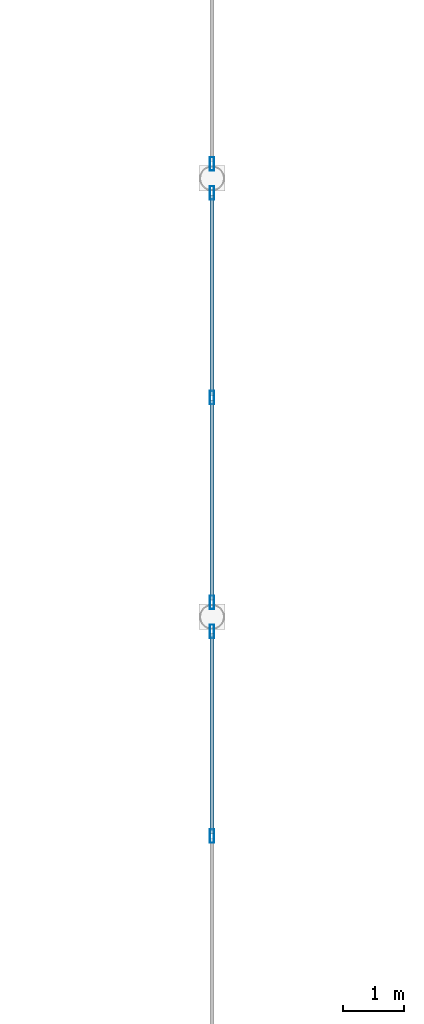
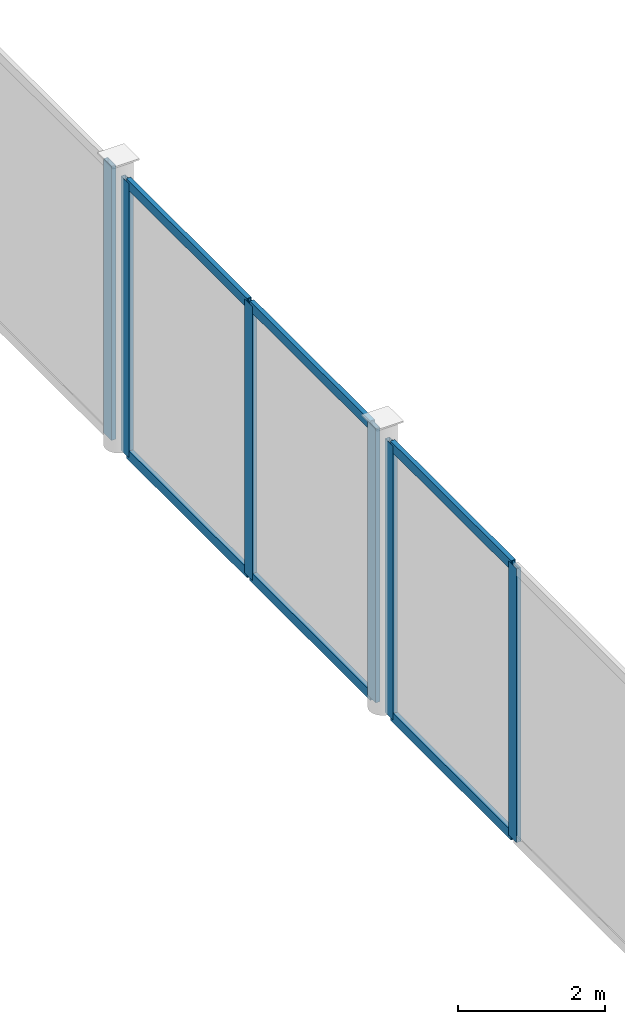
# One storey, part 79 of 120: 12 members, 3 elements without a shape of their own.
"""IFC4 building model written with IfcOpenShell, lengths in metres."""

from ifc_helpers import new_model, si_unit, direction, frame, origin, origin_2d, place, context, subcontext, project, spatial, hollow_rectangle, extrude, material, material_profile, profile_set, type_object, element, aggregate, save


model = new_model("IFC4")

# Units and contexts
model_context = context("Model", 3, precision=1e-05, world=origin(), true_north=direction((0.0, 1.0)))
body_context = subcontext(model_context, "Body", "Model", "MODEL_VIEW")
ifc_project = project(units=[si_unit("LENGTHUNIT", "METRE"), si_unit("AREAUNIT", "SQUARE_METRE"), si_unit("VOLUMEUNIT", "CUBIC_METRE"), si_unit("PLANEANGLEUNIT", "RADIAN"), si_unit("MASSUNIT", "GRAM", prefix="KILO")], contexts=[model_context])

# Site, building, storey
site_placement = place(None, origin())
site = spatial("IfcSite", under=ifc_project, at=site_placement, CompositionType="ELEMENT")
building_placement = place(site_placement, origin())
building = spatial("IfcBuilding", under=site, at=building_placement, Name="Vesperath Aquatics Centre", CompositionType="ELEMENT")
storey_placement = place(building_placement, frame((0.0, 0.0, 10.199951171875)))
storey = spatial("IfcBuildingStorey", under=building, at=storey_placement, Name="L02", CompositionType="ELEMENT", Elevation=10.199951171875)

# Curtain wall, members
ifc_material_1 = material(Name="Thermally broken anodised bronze aluminium curtain wall", Category="aluminium")
curtain_wall_type = type_object("IfcCurtainWallType", Name="CW-06", PredefinedType="NOTDEFINED", material=ifc_material_1)
curtain_wall_1_placement = place(storey_placement, origin())
curtain_wall_1 = element("IfcCurtainWall", 1, at=curtain_wall_1_placement, inside=storey, type_object=curtain_wall_type, Name="Facade Curtain Wall CW06 L02_E_20_13", PredefinedType="NOTDEFINED")
ifc_material_2 = material(Name="Thermally broken anodised aluminium", Category="aluminium")
ifc_material_profile_1 = material_profile(ifc_material_2, hollow_rectangle(XDim=0.070068359375, YDim=0.219970703125, WallThickness=0.0048828125, at=origin_2d()), Name="CWM 70x220x5")
ifc_profile_set_1 = profile_set([ifc_material_profile_1], Name="Thermally broken anodised aluminium")
member_type_1 = type_object("IfcMemberType", Name="MB-CWM2", PredefinedType="MULLION", material=ifc_profile_set_1)
member_1_placement = place(storey_placement, frame((144.0, 97.199951171875, 0.0), z_axis=(0.0, 0.0, 1.0), x_axis=(-1.0, 0.0, 0.0)))
member_1 = element("IfcMember", 2, at=member_1_placement, type_object=member_type_1, Name="CW06 mullion 2", PredefinedType="MULLION", context=body_context, shape_type="SweptSolid", body=[
    extrude(hollow_rectangle(XDim=0.070068359375, YDim=0.219970703125, WallThickness=0.0048828125, at=origin_2d()), origin(), (0.0, 0.0, 1.0), 4.56005859375),
])
member_2_placement = place(storey_placement, frame((144.0, 100.561767578125, 0.0), z_axis=(0.0, 0.0, 1.0), x_axis=(-1.0, 0.0, 0.0)))
member_2 = element("IfcMember", 3, at=member_2_placement, type_object=member_type_1, Name="CW06 mullion 3", PredefinedType="MULLION", context=body_context, shape_type="SweptSolid", body=[
    extrude(hollow_rectangle(XDim=0.070068359375, YDim=0.219970703125, WallThickness=0.0048828125, at=origin_2d()), origin(), (0.0, 0.0, 1.0), 4.56005859375),
])

curtain_wall_2_placement = place(storey_placement, origin())
curtain_wall_2 = element("IfcCurtainWall", 4, at=curtain_wall_2_placement, inside=storey, type_object=curtain_wall_type, Name="Facade Curtain Wall CW06 L02_E_20_14", PredefinedType="NOTDEFINED")
member_3_placement = place(storey_placement, frame((144.0, 101.0380859375, 0.0), z_axis=(0.0, 0.0, 1.0), x_axis=(-1.0, 0.0, 0.0)))
member_3 = element("IfcMember", 5, at=member_3_placement, type_object=member_type_1, Name="CW06 mullion 1", PredefinedType="MULLION", context=body_context, shape_type="SweptSolid", body=[
    extrude(hollow_rectangle(XDim=0.070068359375, YDim=0.219970703125, WallThickness=0.0048828125, at=origin_2d()), origin(), (0.0, 0.0, 1.0), 4.56005859375),
])
member_4_placement = place(storey_placement, frame((144.0, 104.39990234375, 0.0), z_axis=(0.0, 0.0, 1.0), x_axis=(-1.0, 0.0, 0.0)))
member_4 = element("IfcMember", 6, at=member_4_placement, type_object=member_type_1, Name="CW06 mullion 2", PredefinedType="MULLION", context=body_context, shape_type="SweptSolid", body=[
    extrude(hollow_rectangle(XDim=0.070068359375, YDim=0.219970703125, WallThickness=0.0048828125, at=origin_2d()), origin(), (0.0, 0.0, 1.0), 4.56005859375),
])
member_5_placement = place(storey_placement, frame((144.0, 107.76171875, 0.0), z_axis=(0.0, 0.0, 1.0), x_axis=(-1.0, 0.0, 0.0)))
member_5 = element("IfcMember", 7, at=member_5_placement, type_object=member_type_1, Name="CW06 mullion 3", PredefinedType="MULLION", context=body_context, shape_type="SweptSolid", body=[
    extrude(hollow_rectangle(XDim=0.070068359375, YDim=0.219970703125, WallThickness=0.0048828125, at=origin_2d()), origin(), (0.0, 0.0, 1.0), 4.56005859375),
])

# Curtain wall, member
curtain_wall_3_placement = place(storey_placement, origin())
curtain_wall_3 = element("IfcCurtainWall", 8, at=curtain_wall_3_placement, inside=storey, type_object=curtain_wall_type, Name="Facade Curtain Wall CW06 L02_E_20_15", PredefinedType="NOTDEFINED")
member_6_placement = place(storey_placement, frame((144.0, 108.23828125, 0.0), z_axis=(0.0, 0.0, 1.0), x_axis=(-1.0, 0.0, 0.0)))
member_6 = element("IfcMember", 9, at=member_6_placement, type_object=member_type_1, Name="CW06 mullion 1", PredefinedType="MULLION", context=body_context, shape_type="SweptSolid", body=[
    extrude(hollow_rectangle(XDim=0.070068359375, YDim=0.219970703125, WallThickness=0.0048828125, at=origin_2d()), origin(), (0.0, 0.0, 1.0), 4.56005859375),
])
aggregate(curtain_wall_3, [member_6])

# Member
ifc_material_profile_2 = material_profile(ifc_material_2, hollow_rectangle(XDim=0.070068359375, YDim=0.159912109375, WallThickness=0.0048828125, at=origin_2d()), Name="CWT 70x160x5")
ifc_profile_set_2 = profile_set([ifc_material_profile_2], Name="Thermally broken anodised aluminium")
member_type_2 = type_object("IfcMemberType", Name="MB-CWT2", PredefinedType="USERDEFINED", material=ifc_profile_set_2)
member_7_placement = place(storey_placement, frame((144.0, 97.235107421875, 0.03515625), z_axis=(0.0, 1.0, 0.0), x_axis=(-1.0, 0.0, 0.0)))
member_7 = element("IfcMember", 10, at=member_7_placement, type_object=member_type_2, Name="CW06 transom 2.1", ObjectType="TRANSOM", PredefinedType="USERDEFINED", context=body_context, shape_type="SweptSolid", body=[
    extrude(hollow_rectangle(XDim=0.070068359375, YDim=0.159912109375, WallThickness=0.0048828125, at=origin_2d()), origin(), (0.0, 0.0, 1.0), 3.291748046875),
])

member_8_placement = place(storey_placement, frame((144.0, 97.235107421875, 4.525146484375), z_axis=(0.0, 1.0, 0.0), x_axis=(-1.0, 0.0, 0.0)))
member_8 = element("IfcMember", 11, at=member_8_placement, type_object=member_type_2, Name="CW06 transom 2.2", ObjectType="TRANSOM", PredefinedType="USERDEFINED", context=body_context, shape_type="SweptSolid", body=[
    extrude(hollow_rectangle(XDim=0.070068359375, YDim=0.159912109375, WallThickness=0.0048828125, at=origin_2d()), origin(), (0.0, 0.0, 1.0), 3.291748046875),
])

aggregate(curtain_wall_1, [member_1, member_2, member_7, member_8])

member_9_placement = place(storey_placement, frame((144.0, 101.0732421875, 0.03515625), z_axis=(0.0, 1.0, 0.0), x_axis=(-1.0, 0.0, 0.0)))
member_9 = element("IfcMember", 12, at=member_9_placement, type_object=member_type_2, Name="CW06 transom 1.1", ObjectType="TRANSOM", PredefinedType="USERDEFINED", context=body_context, shape_type="SweptSolid", body=[
    extrude(hollow_rectangle(XDim=0.070068359375, YDim=0.159912109375, WallThickness=0.0048828125, at=origin_2d()), origin(), (0.0, 0.0, 1.0), 3.291748046875),
])

member_10_placement = place(storey_placement, frame((144.0, 101.0732421875, 4.525146484375), z_axis=(0.0, 1.0, 0.0), x_axis=(-1.0, 0.0, 0.0)))
member_10 = element("IfcMember", 13, at=member_10_placement, type_object=member_type_2, Name="CW06 transom 1.2", ObjectType="TRANSOM", PredefinedType="USERDEFINED", context=body_context, shape_type="SweptSolid", body=[
    extrude(hollow_rectangle(XDim=0.070068359375, YDim=0.159912109375, WallThickness=0.0048828125, at=origin_2d()), origin(), (0.0, 0.0, 1.0), 3.291748046875),
])

member_11_placement = place(storey_placement, frame((144.0, 104.43505859375, 0.03515625), z_axis=(0.0, 1.0, 0.0), x_axis=(-1.0, 0.0, 0.0)))
member_11 = element("IfcMember", 14, at=member_11_placement, type_object=member_type_2, Name="CW06 transom 2.1", ObjectType="TRANSOM", PredefinedType="USERDEFINED", context=body_context, shape_type="SweptSolid", body=[
    extrude(hollow_rectangle(XDim=0.070068359375, YDim=0.159912109375, WallThickness=0.0048828125, at=origin_2d()), origin(), (0.0, 0.0, 1.0), 3.291748046875),
])

member_12_placement = place(storey_placement, frame((144.0, 104.43505859375, 4.525146484375), z_axis=(0.0, 1.0, 0.0), x_axis=(-1.0, 0.0, 0.0)))
member_12 = element("IfcMember", 15, at=member_12_placement, type_object=member_type_2, Name="CW06 transom 2.2", ObjectType="TRANSOM", PredefinedType="USERDEFINED", context=body_context, shape_type="SweptSolid", body=[
    extrude(hollow_rectangle(XDim=0.070068359375, YDim=0.159912109375, WallThickness=0.0048828125, at=origin_2d()), origin(), (0.0, 0.0, 1.0), 3.291748046875),
])

aggregate(curtain_wall_2, [member_3, member_4, member_5, member_9, member_10, member_11, member_12])

save(model, "model.ifc")
